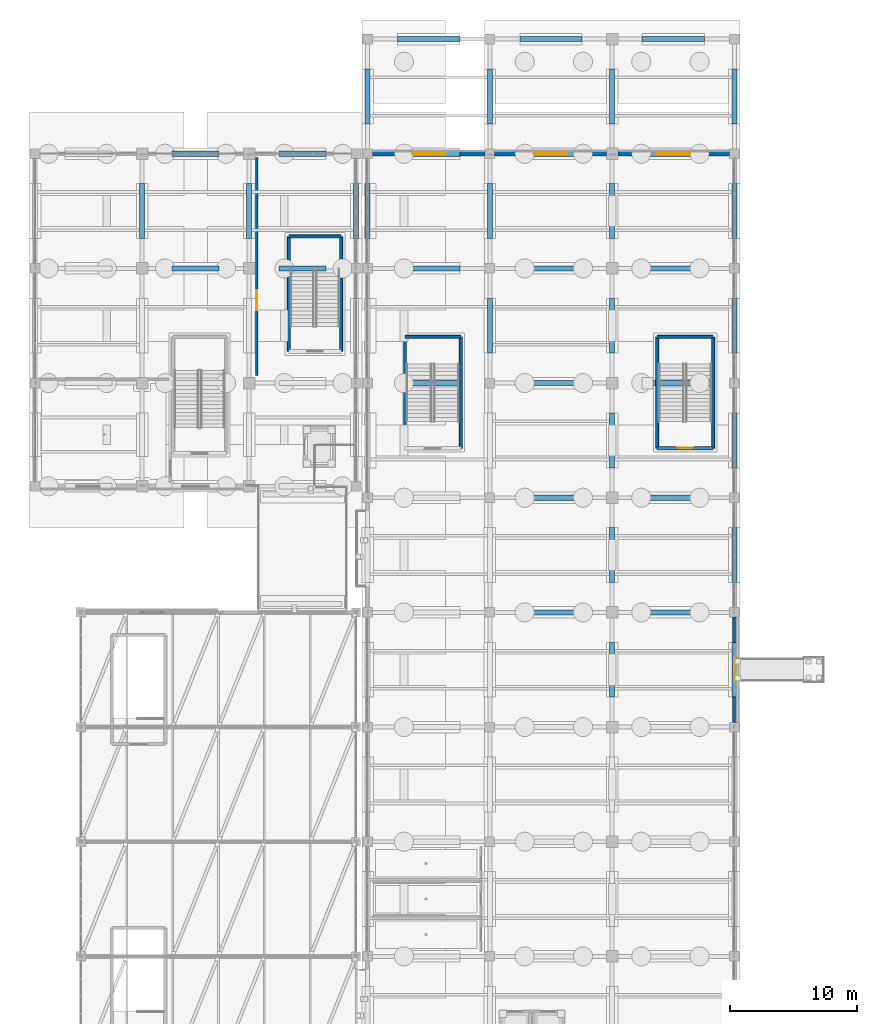
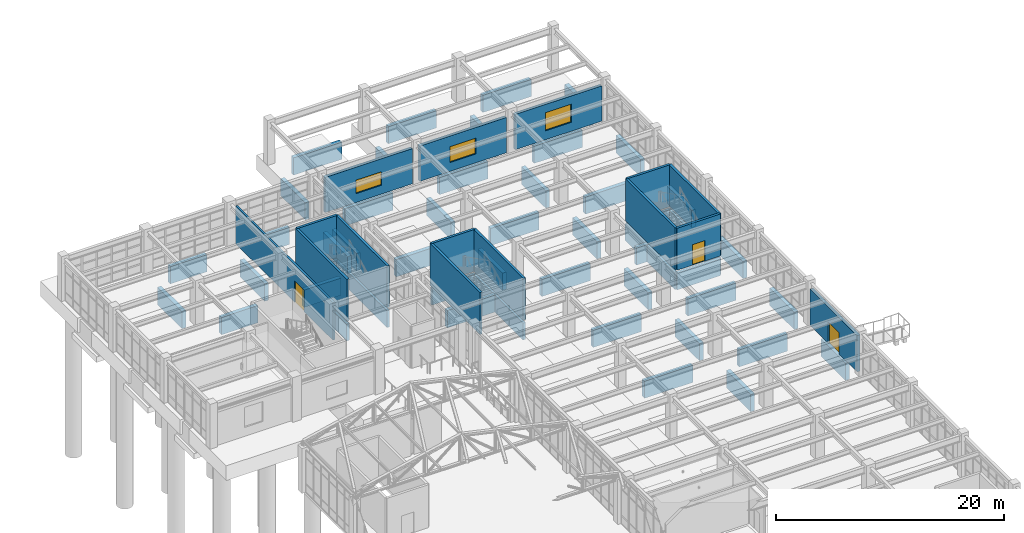
# One storey, part 115 of 139: 64 walls, 3 doors, 3 windows, 6 openings.
"""IFC4 building model written with IfcOpenShell, lengths in metres."""

from ifc_helpers import new_model, si_unit, direction, frame, frame_2d, origin, place, context, subcontext, project, spatial, rectangle, extrude, material, layer, layer_set, type_object, element, fill, save


model = new_model("IFC4")

# Units and contexts
model_context = context("Model", 3, precision=1e-05, world=origin(), true_north=direction((0.0, 1.0)))
body_context = subcontext(model_context, "Body", "Model", "MODEL_VIEW")
ifc_project = project(units=[si_unit("LENGTHUNIT", "METRE"), si_unit("AREAUNIT", "SQUARE_METRE"), si_unit("VOLUMEUNIT", "CUBIC_METRE"), si_unit("PLANEANGLEUNIT", "RADIAN"), si_unit("MASSUNIT", "GRAM", prefix="KILO")], contexts=[model_context])

# Site, building, storey
site_placement = place(None, origin())
site = spatial("IfcSite", under=ifc_project, at=site_placement, CompositionType="ELEMENT")
building_placement = place(site_placement, origin())
building = spatial("IfcBuilding", under=site, at=building_placement, Name="Canglan Escarpment Cableway Terminal", CompositionType="ELEMENT")
storey_placement = place(building_placement, frame((0.0, 0.0, 14.39990234375)))
storey = spatial("IfcBuildingStorey", under=building, at=storey_placement, Name="L03", CompositionType="ELEMENT", Elevation=14.39990234375)

# Walls
ifc_material_1 = material(Name="Concrete C40", Category="concrete")
ifc_layer_1 = layer(ifc_material_1, 0.39990234375, Name="Concrete C40")
ifc_layer_set_1 = layer_set([ifc_layer_1], Name="Concrete C40")
wall_type_1 = type_object("IfcWallType", Name="WL-BENCH-SOLID-400", PredefinedType="SOLIDWALL", material=ifc_layer_set_1)
wall_1_placement = place(storey_placement, frame((122.25, 106.0, -2.099853515625), z_axis=(0.0, 0.0, 1.0), x_axis=(1.0, 0.0, 0.0)))
element("IfcWall", 1, at=wall_1_placement, inside=storey, type_object=wall_type_1, Name="Hillside bench foundation wall BWALL-X-FB8-3-2", PredefinedType="SOLIDWALL", context=body_context, shape_type="SweptSolid", body=[
    extrude(rectangle(XDim=3.699951171875, YDim=0.39990234375, at=frame_2d((1.85009765625, 0.0))), origin(), (0.0, 0.0, 1.0), 1.849853515625),
])
wall_2_placement = place(storey_placement, frame((130.64990234375, 106.0, -2.099853515625), z_axis=(0.0, 0.0, 1.0), x_axis=(1.0, 0.0, 0.0)))
element("IfcWall", 2, at=wall_2_placement, inside=storey, type_object=wall_type_1, Name="Hillside bench foundation wall BWALL-X-FB8-3-3", PredefinedType="SOLIDWALL", context=body_context, shape_type="SweptSolid", body=[
    extrude(rectangle(XDim=3.7001953125, YDim=0.39990234375, at=frame_2d((1.85009765625, 0.0))), origin(), (0.0, 0.0, 1.0), 1.849853515625),
])
wall_3_placement = place(storey_placement, frame((122.25, 115.0, -2.099853515625), z_axis=(0.0, 0.0, 1.0), x_axis=(1.0, 0.0, 0.0)))
element("IfcWall", 3, at=wall_3_placement, inside=storey, type_object=wall_type_1, Name="Hillside bench foundation wall BWALL-X-FB8-4-2", PredefinedType="SOLIDWALL", context=body_context, shape_type="SweptSolid", body=[
    extrude(rectangle(XDim=3.699951171875, YDim=0.39990234375, at=frame_2d((1.85009765625, 0.0))), origin(), (0.0, 0.0, 1.0), 1.849853515625),
])
wall_4_placement = place(storey_placement, frame((130.64990234375, 115.0, -2.099853515625), z_axis=(0.0, 0.0, 1.0), x_axis=(1.0, 0.0, 0.0)))
element("IfcWall", 4, at=wall_4_placement, inside=storey, type_object=wall_type_1, Name="Hillside bench foundation wall BWALL-X-FB8-4-3", PredefinedType="SOLIDWALL", context=body_context, shape_type="SweptSolid", body=[
    extrude(rectangle(XDim=3.7001953125, YDim=0.39990234375, at=frame_2d((1.85009765625, 0.0))), origin(), (0.0, 0.0, 1.0), 1.849853515625),
])
for number, where, z_axis, x_axis, name in (
    (5, (119.89990234375, 108.35009765625, -2.099853515625), (0.0, 0.0, 1.0), (0.0, 1.0, 0.0), "Hillside bench transverse foundation wall BWALL-Y-FB8-2-3"),
    (6, (128.300048828125, 108.35009765625, -2.099853515625), (0.0, 0.0, 1.0), (0.0, 1.0, 0.0), "Hillside bench transverse foundation wall BWALL-Y-FB8-3-3"),
    (7, (136.699951171875, 108.35009765625, -2.099853515625), (0.0, 0.0, 1.0), (0.0, 1.0, 0.0), "Hillside bench transverse foundation wall BWALL-Y-FB8-4-3"),
):
    element("IfcWall", number, at=place(storey_placement, frame(where, z_axis=z_axis, x_axis=x_axis)), inside=storey, type_object=wall_type_1, Name=name, PredefinedType="SOLIDWALL", context=body_context, shape_type="SweptSolid", body=[
        extrude(rectangle(XDim=4.2998046875, YDim=0.39990234375, at=frame_2d((2.14990234375, 0.0))), origin(), (0.0, 0.0, 1.0), 1.849853515625),
    ])
wall_5_placement = place(storey_placement, frame((149.550048828125, 79.0, -2.099853515625), z_axis=(0.0, 0.0, 1.0), x_axis=(1.0, 0.0, 0.0)))
element("IfcWall", 8, at=wall_5_placement, inside=storey, type_object=wall_type_1, Name="Hillside bench foundation wall BWALL-X-FB9-6-2", PredefinedType="SOLIDWALL", context=body_context, shape_type="SweptSolid", body=[
    extrude(rectangle(XDim=4.89990234375, YDim=0.39990234375, at=frame_2d((2.449951171875, 0.0))), origin(), (0.0, 0.0, 1.0), 1.849853515625),
])
wall_6_placement = place(storey_placement, frame((159.14990234375, 79.0, -2.099853515625), z_axis=(0.0, 0.0, 1.0), x_axis=(1.0, 0.0, 0.0)))
element("IfcWall", 9, at=wall_6_placement, inside=storey, type_object=wall_type_1, Name="Hillside bench foundation wall BWALL-X-FB9-6-3", PredefinedType="SOLIDWALL", context=body_context, shape_type="SweptSolid", body=[
    extrude(rectangle(XDim=4.900146484375, YDim=0.39990234375, at=frame_2d((2.4501953125, 0.0))), origin(), (0.0, 0.0, 1.0), 1.849853515625),
])
wall_7_placement = place(storey_placement, frame((149.550048828125, 88.0, -2.099853515625), z_axis=(0.0, 0.0, 1.0), x_axis=(1.0, 0.0, 0.0)))
element("IfcWall", 10, at=wall_7_placement, inside=storey, type_object=wall_type_1, Name="Hillside bench foundation wall BWALL-X-FB9-7-2", PredefinedType="SOLIDWALL", context=body_context, shape_type="SweptSolid", body=[
    extrude(rectangle(XDim=4.89990234375, YDim=0.39990234375, at=frame_2d((2.449951171875, 0.0))), origin(), (0.0, 0.0, 1.0), 1.849853515625),
])
for number, where, z_axis, x_axis, name in (
    (11, (159.14990234375, 88.0, -2.099853515625), (0.0, 0.0, 1.0), (1.0, 0.0, 0.0), "Hillside bench foundation wall BWALL-X-FB9-7-3"),
    (12, (139.949951171875, 97.0, -2.099853515625), (0.0, 0.0, 1.0), (1.0, 0.0, 0.0), "Hillside bench foundation wall BWALL-X-FB9-8-1"),
):
    element("IfcWall", number, at=place(storey_placement, frame(where, z_axis=z_axis, x_axis=x_axis)), inside=storey, type_object=wall_type_1, Name=name, PredefinedType="SOLIDWALL", context=body_context, shape_type="SweptSolid", body=[
        extrude(rectangle(XDim=4.900146484375, YDim=0.39990234375, at=frame_2d((2.4501953125, 0.0))), origin(), (0.0, 0.0, 1.0), 1.849853515625),
    ])
wall_8_placement = place(storey_placement, frame((149.550048828125, 97.0, -2.099853515625), z_axis=(0.0, 0.0, 1.0), x_axis=(1.0, 0.0, 0.0)))
element("IfcWall", 13, at=wall_8_placement, inside=storey, type_object=wall_type_1, Name="Hillside bench foundation wall BWALL-X-FB9-8-2", PredefinedType="SOLIDWALL", context=body_context, shape_type="SweptSolid", body=[
    extrude(rectangle(XDim=4.89990234375, YDim=0.39990234375, at=frame_2d((2.449951171875, 0.0))), origin(), (0.0, 0.0, 1.0), 1.849853515625),
])
wall_9_placement = place(storey_placement, frame((159.14990234375, 97.0, -2.099853515625), z_axis=(0.0, 0.0, 1.0), x_axis=(1.0, 0.0, 0.0)))
element("IfcWall", 14, at=wall_9_placement, inside=storey, type_object=wall_type_1, Name="Hillside bench foundation wall BWALL-X-FB9-8-3", PredefinedType="SOLIDWALL", context=body_context, shape_type="SweptSolid", body=[
    extrude(rectangle(XDim=5.43017578125, YDim=0.39990234375, at=frame_2d((2.715087890625, 0.0))), origin(), (0.0, 0.0, 1.0), 1.849853515625),
])
wall_10_placement = place(storey_placement, frame((139.949951171875, 106.0, -2.099853515625), z_axis=(0.0, 0.0, 1.0), x_axis=(1.0, 0.0, 0.0)))
element("IfcWall", 15, at=wall_10_placement, inside=storey, type_object=wall_type_1, Name="Hillside bench foundation wall BWALL-X-FB9-9-1", PredefinedType="SOLIDWALL", context=body_context, shape_type="SweptSolid", body=[
    extrude(rectangle(XDim=4.900146484375, YDim=0.39990234375, at=frame_2d((2.4501953125, 0.0))), origin(), (0.0, 0.0, 1.0), 1.849853515625),
])
wall_11_placement = place(storey_placement, frame((149.550048828125, 106.0, -2.099853515625), z_axis=(0.0, 0.0, 1.0), x_axis=(1.0, 0.0, 0.0)))
element("IfcWall", 16, at=wall_11_placement, inside=storey, type_object=wall_type_1, Name="Hillside bench foundation wall BWALL-X-FB9-9-2", PredefinedType="SOLIDWALL", context=body_context, shape_type="SweptSolid", body=[
    extrude(rectangle(XDim=4.89990234375, YDim=0.39990234375, at=frame_2d((2.449951171875, 0.0))), origin(), (0.0, 0.0, 1.0), 1.849853515625),
])
for number, where, z_axis, x_axis, name in (
    (17, (159.14990234375, 106.0, -2.099853515625), (0.0, 0.0, 1.0), (1.0, 0.0, 0.0), "Hillside bench foundation wall BWALL-X-FB9-9-3"),
    (18, (139.949951171875, 115.0, -2.099853515625), (0.0, 0.0, 1.0), (1.0, 0.0, 0.0), "Hillside bench foundation wall BWALL-X-FB9-10-1"),
):
    element("IfcWall", number, at=place(storey_placement, frame(where, z_axis=z_axis, x_axis=x_axis)), inside=storey, type_object=wall_type_1, Name=name, PredefinedType="SOLIDWALL", context=body_context, shape_type="SweptSolid", body=[
        extrude(rectangle(XDim=4.900146484375, YDim=0.39990234375, at=frame_2d((2.4501953125, 0.0))), origin(), (0.0, 0.0, 1.0), 1.849853515625),
    ])
wall_12_placement = place(storey_placement, frame((149.550048828125, 115.0, -2.099853515625), z_axis=(0.0, 0.0, 1.0), x_axis=(1.0, 0.0, 0.0)))
element("IfcWall", 19, at=wall_12_placement, inside=storey, type_object=wall_type_1, Name="Hillside bench foundation wall BWALL-X-FB9-10-2", PredefinedType="SOLIDWALL", context=body_context, shape_type="SweptSolid", body=[
    extrude(rectangle(XDim=4.89990234375, YDim=0.39990234375, at=frame_2d((2.449951171875, 0.0))), origin(), (0.0, 0.0, 1.0), 1.849853515625),
])
for number, where, z_axis, x_axis, name in (
    (20, (159.14990234375, 115.0, -2.099853515625), (0.0, 0.0, 1.0), (1.0, 0.0, 0.0), "Hillside bench foundation wall BWALL-X-FB9-10-3"),
    (21, (139.949951171875, 124.0, -2.099853515625), (0.0, 0.0, 1.0), (1.0, 0.0, 0.0), "Hillside bench foundation wall BWALL-X-FB9-11-1"),
):
    element("IfcWall", number, at=place(storey_placement, frame(where, z_axis=z_axis, x_axis=x_axis)), inside=storey, type_object=wall_type_1, Name=name, PredefinedType="SOLIDWALL", context=body_context, shape_type="SweptSolid", body=[
        extrude(rectangle(XDim=4.900146484375, YDim=0.39990234375, at=frame_2d((2.4501953125, 0.0))), origin(), (0.0, 0.0, 1.0), 1.849853515625),
    ])
wall_13_placement = place(storey_placement, frame((149.550048828125, 124.0, -2.099853515625), z_axis=(0.0, 0.0, 1.0), x_axis=(1.0, 0.0, 0.0)))
element("IfcWall", 22, at=wall_13_placement, inside=storey, type_object=wall_type_1, Name="Hillside bench foundation wall BWALL-X-FB9-11-2", PredefinedType="SOLIDWALL", context=body_context, shape_type="SweptSolid", body=[
    extrude(rectangle(XDim=4.89990234375, YDim=0.39990234375, at=frame_2d((2.449951171875, 0.0))), origin(), (0.0, 0.0, 1.0), 1.849853515625),
])
wall_14_placement = place(storey_placement, frame((159.14990234375, 124.0, -2.099853515625), z_axis=(0.0, 0.0, 1.0), x_axis=(1.0, 0.0, 0.0)))
element("IfcWall", 23, at=wall_14_placement, inside=storey, type_object=wall_type_1, Name="Hillside bench foundation wall BWALL-X-FB9-11-3", PredefinedType="SOLIDWALL", context=body_context, shape_type="SweptSolid", body=[
    extrude(rectangle(XDim=4.900146484375, YDim=0.39990234375, at=frame_2d((2.4501953125, 0.0))), origin(), (0.0, 0.0, 1.0), 1.849853515625),
])
for number, where, z_axis, x_axis, name in (
    (24, (137.60009765625, 108.35009765625, -2.099853515625), (0.0, 0.0, 1.0), (0.0, 1.0, 0.0), "Hillside bench transverse foundation wall BWALL-Y-FB9-1-9"),
    (25, (137.60009765625, 117.35009765625, -2.099853515625), (0.0, 0.0, 1.0), (0.0, 1.0, 0.0), "Hillside bench transverse foundation wall BWALL-Y-FB9-1-10"),
    (26, (147.199951171875, 99.35009765625, -2.099853515625), (0.0, 0.0, 1.0), (0.0, 1.0, 0.0), "Hillside bench transverse foundation wall BWALL-Y-FB9-2-8"),
    (27, (147.199951171875, 108.35009765625, -2.099853515625), (0.0, 0.0, 1.0), (0.0, 1.0, 0.0), "Hillside bench transverse foundation wall BWALL-Y-FB9-2-9"),
    (28, (147.199951171875, 117.35009765625, -2.099853515625), (0.0, 0.0, 1.0), (0.0, 1.0, 0.0), "Hillside bench transverse foundation wall BWALL-Y-FB9-2-10"),
    (29, (156.800048828125, 72.35009765625, -2.099853515625), (0.0, 0.0, 1.0), (0.0, 1.0, 0.0), "Hillside bench transverse foundation wall BWALL-Y-FB9-3-5"),
    (30, (156.800048828125, 81.35009765625, -2.099853515625), (0.0, 0.0, 1.0), (0.0, 1.0, 0.0), "Hillside bench transverse foundation wall BWALL-Y-FB9-3-6"),
    (31, (156.800048828125, 90.35009765625, -2.099853515625), (0.0, 0.0, 1.0), (0.0, 1.0, 0.0), "Hillside bench transverse foundation wall BWALL-Y-FB9-3-7"),
    (32, (156.800048828125, 99.35009765625, -2.099853515625), (0.0, 0.0, 1.0), (0.0, 1.0, 0.0), "Hillside bench transverse foundation wall BWALL-Y-FB9-3-8"),
    (33, (156.800048828125, 108.35009765625, -2.099853515625), (0.0, 0.0, 1.0), (0.0, 1.0, 0.0), "Hillside bench transverse foundation wall BWALL-Y-FB9-3-9"),
    (34, (156.800048828125, 117.35009765625, -2.099853515625), (0.0, 0.0, 1.0), (0.0, 1.0, 0.0), "Hillside bench transverse foundation wall BWALL-Y-FB9-3-10"),
    (35, (166.39990234375, 72.35009765625, -2.099853515625), (0.0, 0.0, 1.0), (0.0, 1.0, 0.0), "Hillside bench transverse foundation wall BWALL-Y-FB9-4-5"),
    (36, (166.39990234375, 81.35009765625, -2.099853515625), (0.0, 0.0, 1.0), (0.0, 1.0, 0.0), "Hillside bench transverse foundation wall BWALL-Y-FB9-4-6"),
    (37, (166.39990234375, 90.35009765625, -2.099853515625), (0.0, 0.0, 1.0), (0.0, 1.0, 0.0), "Hillside bench transverse foundation wall BWALL-Y-FB9-4-7"),
    (38, (166.39990234375, 99.35009765625, -2.099853515625), (0.0, 0.0, 1.0), (0.0, 1.0, 0.0), "Hillside bench transverse foundation wall BWALL-Y-FB9-4-8"),
    (39, (166.39990234375, 108.35009765625, -2.099853515625), (0.0, 0.0, 1.0), (0.0, 1.0, 0.0), "Hillside bench transverse foundation wall BWALL-Y-FB9-4-9"),
    (40, (166.39990234375, 117.35009765625, -2.099853515625), (0.0, 0.0, 1.0), (0.0, 1.0, 0.0), "Hillside bench transverse foundation wall BWALL-Y-FB9-4-10"),
):
    element("IfcWall", number, at=place(storey_placement, frame(where, z_axis=z_axis, x_axis=x_axis)), inside=storey, type_object=wall_type_1, Name=name, PredefinedType="SOLIDWALL", context=body_context, shape_type="SweptSolid", body=[
        extrude(rectangle(XDim=4.2998046875, YDim=0.39990234375, at=frame_2d((2.14990234375, 0.0))), origin(), (0.0, 0.0, 1.0), 1.849853515625),
    ])
wall_15_placement = place(storey_placement, frame((135.52001953125, 99.47998046875, -2.099853515625), z_axis=(0.0, 0.0, 1.0), x_axis=(0.0, 1.0, 0.0)))
element("IfcWall", 41, at=wall_15_placement, inside=storey, type_object=wall_type_1, Name="Stair core foundation wall ST-18", PredefinedType="SOLIDWALL", context=body_context, shape_type="SweptSolid", body=[
    extrude(rectangle(XDim=9.0400390625, YDim=0.280029296875, at=frame_2d((4.52001953125, 0.0))), origin(), (0.0, 0.0, 1.0), 1.800048828125),
])
wall_16_placement = place(storey_placement, frame((135.52001953125, 108.52001953125, -2.099853515625), z_axis=(0.0, 0.0, 1.0), x_axis=(-1.0, 0.0, 0.0)))
element("IfcWall", 42, at=wall_16_placement, inside=storey, type_object=wall_type_1, Name="Stair core foundation wall ST-18", PredefinedType="SOLIDWALL", context=body_context, shape_type="SweptSolid", body=[
    extrude(rectangle(XDim=4.090087890625, YDim=0.280029296875, at=frame_2d((2.044921875, 0.0))), origin(), (0.0, 0.0, 1.0), 1.800048828125),
])
wall_17_placement = place(storey_placement, frame((131.429931640625, 108.52001953125, -2.099853515625), z_axis=(0.0, 0.0, 1.0), x_axis=(0.0, -1.0, 0.0)))
element("IfcWall", 43, at=wall_17_placement, inside=storey, type_object=wall_type_1, Name="Stair core foundation wall ST-18", PredefinedType="SOLIDWALL", context=body_context, shape_type="SweptSolid", body=[
    extrude(rectangle(XDim=9.0400390625, YDim=0.280029296875, at=frame_2d((4.52001953125, 0.0))), origin(), (0.0, 0.0, 1.0), 1.800048828125),
])
wall_18_placement = place(storey_placement, frame((144.919921875, 91.8798828125, -2.099853515625), z_axis=(0.0, 0.0, 1.0), x_axis=(0.0, 1.0, 0.0)))
element("IfcWall", 44, at=wall_18_placement, inside=storey, type_object=wall_type_1, Name="Stair core foundation wall ST-16", PredefinedType="SOLIDWALL", context=body_context, shape_type="SweptSolid", body=[
    extrude(rectangle(XDim=8.740234375, YDim=0.280029296875, at=frame_2d((4.3701171875, 0.0))), origin(), (0.0, 0.0, 1.0), 1.800048828125),
])
wall_19_placement = place(storey_placement, frame((144.919921875, 100.6201171875, -2.099853515625), z_axis=(0.0, 0.0, 1.0), x_axis=(-1.0, 0.0, 0.0)))
element("IfcWall", 45, at=wall_19_placement, inside=storey, type_object=wall_type_1, Name="Stair core foundation wall ST-16", PredefinedType="SOLIDWALL", context=body_context, shape_type="SweptSolid", body=[
    extrude(rectangle(XDim=4.389892578125, YDim=0.280029296875, at=frame_2d((2.19482421875, 0.0))), origin(), (0.0, 0.0, 1.0), 1.800048828125),
])
wall_20_placement = place(storey_placement, frame((164.719970703125, 91.8798828125, -2.099853515625), z_axis=(0.0, 0.0, 1.0), x_axis=(0.0, 1.0, 0.0)))
element("IfcWall", 46, at=wall_20_placement, inside=storey, type_object=wall_type_1, Name="Stair core foundation wall ST-17", PredefinedType="SOLIDWALL", context=body_context, shape_type="SweptSolid", body=[
    extrude(rectangle(XDim=8.740234375, YDim=0.280029296875, at=frame_2d((4.3701171875, 0.0))), origin(), (0.0, 0.0, 1.0), 1.800048828125),
])
wall_21_placement = place(storey_placement, frame((164.719970703125, 100.6201171875, -2.099853515625), z_axis=(0.0, 0.0, 1.0), x_axis=(-1.0, 0.0, 0.0)))
element("IfcWall", 47, at=wall_21_placement, inside=storey, type_object=wall_type_1, Name="Stair core foundation wall ST-17", PredefinedType="SOLIDWALL", context=body_context, shape_type="SweptSolid", body=[
    extrude(rectangle(XDim=4.389892578125, YDim=0.280029296875, at=frame_2d((2.19482421875, 0.0))), origin(), (0.0, 0.0, 1.0), 1.800048828125),
])
wall_22_placement = place(storey_placement, frame((160.330078125, 100.6201171875, -2.099853515625), z_axis=(0.0, 0.0, 1.0), x_axis=(0.0, -1.0, 0.0)))
element("IfcWall", 48, at=wall_22_placement, inside=storey, type_object=wall_type_1, Name="Stair core foundation wall ST-17", PredefinedType="SOLIDWALL", context=body_context, shape_type="SweptSolid", body=[
    extrude(rectangle(XDim=8.740234375, YDim=0.280029296875, at=frame_2d((4.3701171875, 0.0))), origin(), (0.0, 0.0, 1.0), 1.800048828125),
])
wall_23_placement = place(storey_placement, frame((160.330078125, 91.8798828125, -2.099853515625), z_axis=(0.0, 0.0, 1.0), x_axis=(1.0, 0.0, 0.0)))
element("IfcWall", 49, at=wall_23_placement, inside=storey, type_object=wall_type_1, Name="Stair core foundation wall ST-17", PredefinedType="SOLIDWALL", context=body_context, shape_type="SweptSolid", body=[
    extrude(rectangle(XDim=4.389892578125, YDim=0.280029296875, at=frame_2d((2.19482421875, 0.0))), origin(), (0.0, 0.0, 1.0), 1.800048828125),
])
ifc_layer_2 = layer(ifc_material_1, 0.239990234375, Name="Concrete C40")
ifc_layer_set_2 = layer_set([ifc_layer_2], Name="Concrete C40")
wall_type_2 = type_object("IfcWallType", Name="WL-CORE-SHEAR-240", PredefinedType="SHEAR", material=ifc_layer_set_2)
wall_24_placement = place(storey_placement, frame((135.52001953125, 99.47998046875, 0.0), z_axis=(0.0, 0.0, 1.0), x_axis=(0.0, 1.0, 0.0)))
element("IfcWall", 50, at=wall_24_placement, inside=storey, type_object=wall_type_2, Name="Protected stair core wall ST-18 (L03)", PredefinedType="SHEAR", context=body_context, shape_type="SweptSolid", body=[
    extrude(rectangle(XDim=9.0400390625, YDim=0.239990234375, at=frame_2d((4.52001953125, 0.0))), origin(), (0.0, 0.0, 1.0), 4.5),
])
wall_25_placement = place(storey_placement, frame((135.52001953125, 108.52001953125, 0.0), z_axis=(0.0, 0.0, 1.0), x_axis=(-1.0, 0.0, 0.0)))
element("IfcWall", 51, at=wall_25_placement, inside=storey, type_object=wall_type_2, Name="Protected stair core wall ST-18 (L03)", PredefinedType="SHEAR", context=body_context, shape_type="SweptSolid", body=[
    extrude(rectangle(XDim=4.090087890625, YDim=0.239990234375, at=frame_2d((2.044921875, 0.0))), origin(), (0.0, 0.0, 1.0), 4.5),
])
wall_26_placement = place(storey_placement, frame((131.429931640625, 108.52001953125, 0.0), z_axis=(0.0, 0.0, 1.0), x_axis=(0.0, -1.0, 0.0)))
element("IfcWall", 52, at=wall_26_placement, inside=storey, type_object=wall_type_2, Name="Protected stair core wall ST-18 (L03)", PredefinedType="SHEAR", context=body_context, shape_type="SweptSolid", body=[
    extrude(rectangle(XDim=9.0400390625, YDim=0.239990234375, at=frame_2d((4.52001953125, 0.0))), origin(), (0.0, 0.0, 1.0), 4.5),
])
wall_27_placement = place(storey_placement, frame((144.919921875, 91.8798828125, 0.0), z_axis=(0.0, 0.0, 1.0), x_axis=(0.0, 1.0, 0.0)))
element("IfcWall", 53, at=wall_27_placement, inside=storey, type_object=wall_type_2, Name="Protected stair core wall ST-16 (L03)", PredefinedType="SHEAR", context=body_context, shape_type="SweptSolid", body=[
    extrude(rectangle(XDim=8.740234375, YDim=0.239990234375, at=frame_2d((4.3701171875, 0.0))), origin(), (0.0, 0.0, 1.0), 4.5),
])
wall_28_placement = place(storey_placement, frame((144.919921875, 100.6201171875, 0.0), z_axis=(0.0, 0.0, 1.0), x_axis=(-1.0, 0.0, 0.0)))
element("IfcWall", 54, at=wall_28_placement, inside=storey, type_object=wall_type_2, Name="Protected stair core wall ST-16 (L03)", PredefinedType="SHEAR", context=body_context, shape_type="SweptSolid", body=[
    extrude(rectangle(XDim=4.389892578125, YDim=0.239990234375, at=frame_2d((2.19482421875, 0.0))), origin(), (0.0, 0.0, 1.0), 4.5),
])
for number, where, z_axis, x_axis, name in (
    (55, (140.530029296875, 100.6201171875, 0.0), (0.0, 0.0, 1.0), (0.0, -1.0, 0.0), "Protected stair core wall ST-16 (L03)"),
    (56, (164.719970703125, 91.8798828125, 0.0), (0.0, 0.0, 1.0), (0.0, 1.0, 0.0), "Protected stair core wall ST-17 (L03)"),
):
    element("IfcWall", number, at=place(storey_placement, frame(where, z_axis=z_axis, x_axis=x_axis)), inside=storey, type_object=wall_type_2, Name=name, PredefinedType="SHEAR", context=body_context, shape_type="SweptSolid", body=[
        extrude(rectangle(XDim=8.740234375, YDim=0.239990234375, at=frame_2d((4.3701171875, 0.0))), origin(), (0.0, 0.0, 1.0), 4.5),
    ])
wall_29_placement = place(storey_placement, frame((164.719970703125, 100.6201171875, 0.0), z_axis=(0.0, 0.0, 1.0), x_axis=(-1.0, 0.0, 0.0)))
element("IfcWall", 57, at=wall_29_placement, inside=storey, type_object=wall_type_2, Name="Protected stair core wall ST-17 (L03)", PredefinedType="SHEAR", context=body_context, shape_type="SweptSolid", body=[
    extrude(rectangle(XDim=4.389892578125, YDim=0.239990234375, at=frame_2d((2.19482421875, 0.0))), origin(), (0.0, 0.0, 1.0), 4.5),
])
wall_30_placement = place(storey_placement, frame((160.330078125, 100.6201171875, 0.0), z_axis=(0.0, 0.0, 1.0), x_axis=(0.0, -1.0, 0.0)))
element("IfcWall", 58, at=wall_30_placement, inside=storey, type_object=wall_type_2, Name="Protected stair core wall ST-17 (L03)", PredefinedType="SHEAR", context=body_context, shape_type="SweptSolid", body=[
    extrude(rectangle(XDim=8.740234375, YDim=0.239990234375, at=frame_2d((4.3701171875, 0.0))), origin(), (0.0, 0.0, 1.0), 4.5),
])

# Wall, opening, door
wall_31_placement = place(storey_placement, frame((160.330078125, 91.8798828125, 0.0), z_axis=(0.0, 0.0, 1.0), x_axis=(1.0, 0.0, 0.0)))
wall_31 = element("IfcWall", 59, at=wall_31_placement, inside=storey, type_object=wall_type_2, Name="Protected stair core wall ST-17 (L03)", PredefinedType="SHEAR", context=body_context, shape_type="SweptSolid", body=[
    extrude(rectangle(XDim=4.389892578125, YDim=0.239990234375, at=frame_2d((2.19482421875, 0.0))), origin(), (0.0, 0.0, 1.0), 4.5),
])
opening_1_placement = place(wall_31_placement, frame((1.570068359375, 0.0, 0.0)))
opening_1 = element("IfcOpeningElement", 60, at=opening_1_placement, cuts=wall_31, Name="Opening SD-D1", PredefinedType="OPENING", context=body_context, shape_type="SweptSolid", body=[
    extrude(rectangle(XDim=1.25, YDim=2.199951171875, at=frame_2d((0.625, 1.10009765625))), frame((0.0, 0.1298828125, 0.0), z_axis=(0.0, -1.0, 0.0), x_axis=(1.0, 0.0, 0.0)), (0.0, 0.0, 1.0), 0.260009765625),
])
ifc_material_2 = material(Name="Steel fire-resisting stair door", Category="steel")
door_type_1 = type_object("IfcDoorType", Name="DR-STAIR-EI90-1250", OperationType="NOTDEFINED", PredefinedType="DOOR", material=ifc_material_2)
door_1_placement = place(opening_1_placement, origin())
door_1 = element("IfcDoor", 61, at=door_1_placement, inside=storey, type_object=door_type_1, Name="Protected exit stair fire door ST-17 (L03)", OperationType="SINGLE_SWING_RIGHT", OverallHeight=2.199951171875, OverallWidth=1.25, PredefinedType="DOOR", context=body_context, shape_type="SweptSolid", body=[
    extrude(rectangle(XDim=1.25, YDim=2.199951171875, at=frame_2d((0.625, 1.10009765625))), frame((0.0, 0.02490234375, 0.0), z_axis=(0.0, -1.0, 0.0), x_axis=(1.0, 0.0, 0.0)), (0.0, 0.0, 1.0), 0.050048828125),
])
fill(opening_1, door_1)

ifc_material_3 = material(Name="Dressed ashlar limestone on Concrete C40", Category="masonry")
ifc_layer_3 = layer(ifc_material_3, 0.320068359375, Name="Dressed ashlar limestone on Concrete C40")
ifc_layer_set_3 = layer_set([ifc_layer_3], Name="Dressed ashlar limestone on Concrete C40")
wall_type_3 = type_object("IfcWallType", Name="WL-EXT-ASHLAR-320", PredefinedType="STANDARD", material=ifc_layer_set_3)
wall_32_placement = place(storey_placement, frame((166.39990234375, 70.375, 0.0), z_axis=(0.0, 0.0, 1.0), x_axis=(0.0, 1.0, 0.0)))
wall_32 = element("IfcWall", 62, at=wall_32_placement, inside=storey, type_object=wall_type_3, Name="Classical stone-faced exterior wall EW-FB9-L03-E-05", PredefinedType="STANDARD", context=body_context, shape_type="SweptSolid", body=[
    extrude(rectangle(XDim=8.25, YDim=0.320068359375, at=frame_2d((4.125, 0.0))), origin(), (0.0, 0.0, 1.0), 3.89111328125),
])
opening_2_placement = place(wall_32_placement, frame((3.175048828125, 0.0, 0.0)))
opening_2 = element("IfcOpeningElement", 63, at=opening_2_placement, cuts=wall_32, Name="Opening ED-06", PredefinedType="OPENING", context=body_context, shape_type="SweptSolid", body=[
    extrude(rectangle(XDim=1.89990234375, YDim=2.300048828125, at=frame_2d((0.949951171875, 1.14990234375))), frame((0.0, 0.169921875, 0.0), z_axis=(0.0, -1.0, 0.0), x_axis=(1.0, 0.0, 0.0)), (0.0, 0.0, 1.0), 0.340087890625),
])
ifc_material_4 = material(Name="Anodized bronze aluminium and tempered safety glass", Category="aluminium")
door_type_2 = type_object("IfcDoorType", Name="DR-EXT-RAMP-1900", OperationType="NOTDEFINED", PredefinedType="DOOR", material=ifc_material_4)
door_2_placement = place(opening_2_placement, origin())
door_2 = element("IfcDoor", 64, at=door_2_placement, inside=storey, type_object=door_type_2, Name="Accessible ramp vestibule glazed double door ED-06", OperationType="DOUBLE_DOOR_SINGLE_SWING", OverallHeight=2.300048828125, OverallWidth=1.89990234375, PredefinedType="DOOR", context=body_context, shape_type="SweptSolid", body=[
    extrude(rectangle(XDim=1.89990234375, YDim=2.300048828125, at=frame_2d((0.949951171875, 1.14990234375))), frame((0.0, 0.02490234375, 0.0), z_axis=(0.0, -1.0, 0.0), x_axis=(1.0, 0.0, 0.0)), (0.0, 0.0, 1.0), 0.050048828125),
])
fill(opening_2, door_2)

# Wall, opening, window
wall_33_placement = place(storey_placement, frame((146.824951171875, 115.0, 0.0), z_axis=(0.0, 0.0, 1.0), x_axis=(-1.0, 0.0, 0.0)))
wall_33 = element("IfcWall", 65, at=wall_33_placement, inside=storey, type_object=wall_type_3, Name="Classical stone-faced exterior wall EW-FB9-L03-N-01", PredefinedType="STANDARD", context=body_context, shape_type="SweptSolid", body=[
    extrude(rectangle(XDim=8.849853515625, YDim=0.320068359375, at=frame_2d((4.4248046875, 0.0))), origin(), (0.0, 0.0, 1.0), 3.78515625),
])
opening_3_placement = place(wall_33_placement, frame((3.125, 0.0, 0.949951171875)))
opening_3 = element("IfcOpeningElement", 66, at=opening_3_placement, cuts=wall_33, Name="Opening W-25", PredefinedType="OPENING", context=body_context, shape_type="SweptSolid", body=[
    extrude(rectangle(XDim=2.60009765625, YDim=1.449951171875, at=frame_2d((1.300048828125, 0.72509765625))), frame((0.0, 0.169921875, 0.0), z_axis=(0.0, -1.0, 0.0), x_axis=(1.0, 0.0, 0.0)), (0.0, 0.0, 1.0), 0.340087890625),
])
ifc_material_5 = material(Name="Anodized bronze aluminium and Low-E double glazing", Category="aluminium")
window_type_1 = type_object("IfcWindowType", Name="WIN-EXT-25", PartitioningType="DOUBLE_PANEL_VERTICAL", PredefinedType="WINDOW", material=ifc_material_5)
window_1_placement = place(opening_3_placement, origin())
window_1 = element("IfcWindow", 67, at=window_1_placement, inside=storey, type_object=window_type_1, Name="Classical module window W-25", OverallHeight=1.449951171875, OverallWidth=2.60009765625, PartitioningType="SINGLE_PANEL", PredefinedType="WINDOW", context=body_context, shape_type="SweptSolid", body=[
    extrude(rectangle(XDim=2.60009765625, YDim=1.449951171875, at=frame_2d((1.300048828125, 0.72509765625))), frame((0.0, 0.030029296875, 0.0), z_axis=(0.0, -1.0, 0.0), x_axis=(1.0, 0.0, 0.0)), (0.0, 0.0, 1.0), 0.06005859375),
])
fill(opening_3, window_1)

wall_34_placement = place(storey_placement, frame((156.35009765625, 115.0, 0.0), z_axis=(0.0, 0.0, 1.0), x_axis=(-1.0, 0.0, 0.0)))
wall_34 = element("IfcWall", 68, at=wall_34_placement, inside=storey, type_object=wall_type_3, Name="Classical stone-faced exterior wall EW-FB9-L03-N-02", PredefinedType="STANDARD", context=body_context, shape_type="SweptSolid", body=[
    extrude(rectangle(XDim=8.775146484375, YDim=0.320068359375, at=frame_2d((4.3876953125, 0.0))), origin(), (0.0, 0.0, 1.0), 3.78515625),
])
opening_4_placement = place(wall_34_placement, frame((3.08740234375, 0.0, 0.949951171875)))
opening_4 = element("IfcOpeningElement", 69, at=opening_4_placement, cuts=wall_34, Name="Opening W-26", PredefinedType="OPENING", context=body_context, shape_type="SweptSolid", body=[
    extrude(rectangle(XDim=2.60009765625, YDim=1.699951171875, at=frame_2d((1.300048828125, 0.85009765625))), frame((0.0, 0.169921875, 0.0), z_axis=(0.0, -1.0, 0.0), x_axis=(1.0, 0.0, 0.0)), (0.0, 0.0, 1.0), 0.340087890625),
])
window_type_2 = type_object("IfcWindowType", Name="WIN-EXT-26", PartitioningType="DOUBLE_PANEL_VERTICAL", PredefinedType="WINDOW", material=ifc_material_5)
window_2_placement = place(opening_4_placement, origin())
window_2 = element("IfcWindow", 70, at=window_2_placement, inside=storey, type_object=window_type_2, Name="Classical module window W-26", OverallHeight=1.699951171875, OverallWidth=2.60009765625, PartitioningType="SINGLE_PANEL", PredefinedType="WINDOW", context=body_context, shape_type="SweptSolid", body=[
    extrude(rectangle(XDim=2.60009765625, YDim=1.699951171875, at=frame_2d((1.300048828125, 0.85009765625))), frame((0.0, 0.030029296875, 0.0), z_axis=(0.0, -1.0, 0.0), x_axis=(1.0, 0.0, 0.0)), (0.0, 0.0, 1.0), 0.06005859375),
])
fill(opening_4, window_2)

wall_35_placement = place(storey_placement, frame((166.02490234375, 115.0, 0.0), z_axis=(0.0, 0.0, 1.0), x_axis=(-1.0, 0.0, 0.0)))
wall_35 = element("IfcWall", 71, at=wall_35_placement, inside=storey, type_object=wall_type_3, Name="Classical stone-faced exterior wall EW-FB9-L03-N-03", PredefinedType="STANDARD", context=body_context, shape_type="SweptSolid", body=[
    extrude(rectangle(XDim=8.77490234375, YDim=0.320068359375, at=frame_2d((4.387451171875, 0.0))), origin(), (0.0, 0.0, 1.0), 3.78515625),
])
opening_5_placement = place(wall_35_placement, frame((3.08740234375, 0.0, 0.949951171875)))
opening_5 = element("IfcOpeningElement", 72, at=opening_5_placement, cuts=wall_35, Name="Opening W-27", PredefinedType="OPENING", context=body_context, shape_type="SweptSolid", body=[
    extrude(rectangle(XDim=2.60009765625, YDim=1.949951171875, at=frame_2d((1.300048828125, 0.97509765625))), frame((0.0, 0.169921875, 0.0), z_axis=(0.0, -1.0, 0.0), x_axis=(1.0, 0.0, 0.0)), (0.0, 0.0, 1.0), 0.340087890625),
])
window_type_3 = type_object("IfcWindowType", Name="WIN-EXT-27", PartitioningType="DOUBLE_PANEL_VERTICAL", PredefinedType="WINDOW", material=ifc_material_5)
window_3_placement = place(opening_5_placement, origin())
window_3 = element("IfcWindow", 73, at=window_3_placement, inside=storey, type_object=window_type_3, Name="Classical module window W-27", OverallHeight=1.949951171875, OverallWidth=2.60009765625, PartitioningType="SINGLE_PANEL", PredefinedType="WINDOW", context=body_context, shape_type="SweptSolid", body=[
    extrude(rectangle(XDim=2.60009765625, YDim=1.949951171875, at=frame_2d((1.300048828125, 0.97509765625))), frame((0.0, 0.030029296875, 0.0), z_axis=(0.0, -1.0, 0.0), x_axis=(1.0, 0.0, 0.0)), (0.0, 0.0, 1.0), 0.06005859375),
])
fill(opening_5, window_3)

# Wall, opening, door
ifc_material_6 = material(Name="Autoclaved aerated concrete blockwork", Category="masonry")
ifc_layer_4 = layer(ifc_material_6, 0.199951171875, Name="Autoclaved aerated concrete blockwork")
ifc_layer_set_4 = layer_set([ifc_layer_4], Name="Autoclaved aerated concrete blockwork")
wall_type_4 = type_object("IfcWallType", Name="WL-INT-FIRE-200-EI90", PredefinedType="PARTITIONING", material=ifc_layer_set_4)
wall_36_placement = place(storey_placement, frame((128.89990234375, 97.60009765625, 0.0), z_axis=(0.0, 0.0, 1.0), x_axis=(0.0, 1.0, 0.0)))
wall_36 = element("IfcWall", 74, at=wall_36_placement, inside=storey, type_object=wall_type_4, Name="Interior partition wall IW-L03-13-MAIN", PredefinedType="PARTITIONING", context=body_context, shape_type="SweptSolid", body=[
    extrude(rectangle(XDim=17.099853515625, YDim=0.199951171875, at=frame_2d((8.5498046875, 0.0))), origin(), (0.0, 0.0, 1.0), 4.03515625),
])
opening_6_placement = place(wall_36_placement, frame((5.10009765625, 0.0, 0.0)))
opening_6 = element("IfcOpeningElement", 75, at=opening_6_placement, cuts=wall_36, Name="Opening ID-25", PredefinedType="OPENING", context=body_context, shape_type="SweptSolid", body=[
    extrude(rectangle(XDim=1.60009765625, YDim=2.300048828125, at=frame_2d((0.800048828125, 1.14990234375))), frame((0.0, 0.10986328125, 0.0), z_axis=(0.0, -1.0, 0.0), x_axis=(1.0, 0.0, 0.0)), (0.0, 0.0, 1.0), 0.219970703125),
])
ifc_material_7 = material(Name="Fire-rated steel leaf", Category="steel")
door_type_3 = type_object("IfcDoorType", Name="DR-INT-ID-25", OperationType="NOTDEFINED", PredefinedType="DOOR", material=ifc_material_7)
door_3_placement = place(opening_6_placement, origin())
door_3 = element("IfcDoor", 76, at=door_3_placement, inside=storey, type_object=door_type_3, Name="Hydraulic Tensioning Room door ID-25", OperationType="DOUBLE_DOOR_SINGLE_SWING", OverallHeight=2.300048828125, OverallWidth=1.60009765625, PredefinedType="DOOR", context=body_context, shape_type="SweptSolid", body=[
    extrude(rectangle(XDim=1.60009765625, YDim=2.300048828125, at=frame_2d((0.800048828125, 1.14990234375))), frame((0.0, 0.02490234375, 0.0), z_axis=(0.0, -1.0, 0.0), x_axis=(1.0, 0.0, 0.0)), (0.0, 0.0, 1.0), 0.050048828125),
])
fill(opening_6, door_3)

save(model, "model.ifc")
